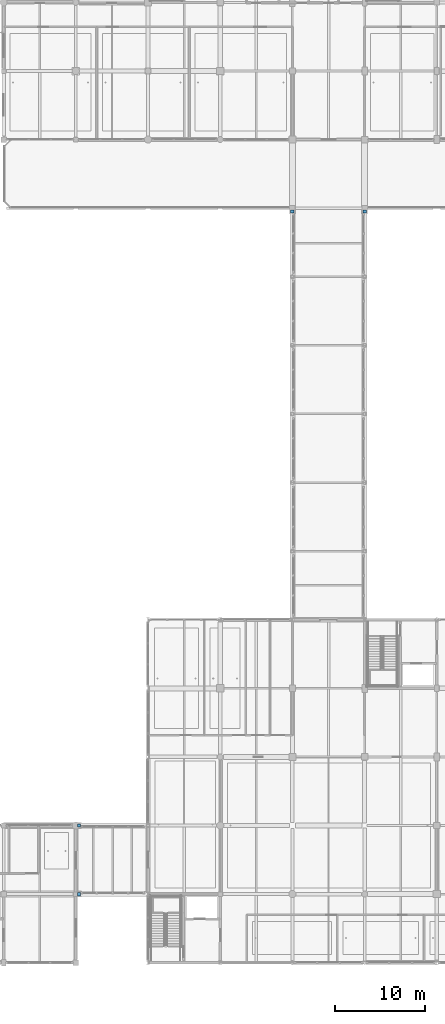
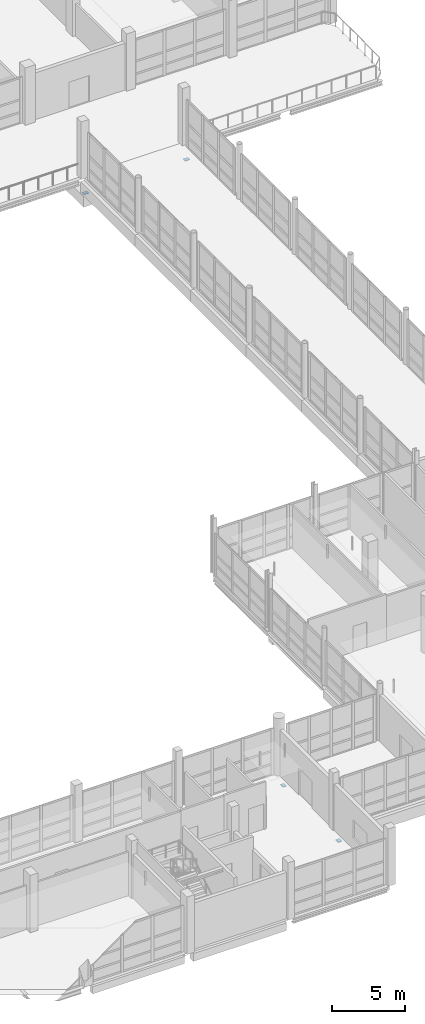
# One storey, part 125 of 141: 4 discrete accessories.
"""IFC4 building model written with IfcOpenShell, lengths in metres."""

from ifc_helpers import new_model, si_unit, direction, frame, origin, origin_2d, place, context, subcontext, project, spatial, rectangle, extrude, material, type_object, element, save


model = new_model("IFC4")

# Units and contexts
model_context = context("Model", 3, precision=1e-05, world=origin(), true_north=direction((0.0, 1.0)))
body_context = subcontext(model_context, "Body", "Model", "MODEL_VIEW")
ifc_project = project(units=[si_unit("LENGTHUNIT", "METRE"), si_unit("AREAUNIT", "SQUARE_METRE"), si_unit("VOLUMEUNIT", "CUBIC_METRE"), si_unit("PLANEANGLEUNIT", "RADIAN"), si_unit("MASSUNIT", "GRAM", prefix="KILO")], contexts=[model_context])

# Site, building, storey
site_placement = place(None, origin())
site = spatial("IfcSite", under=ifc_project, at=site_placement, CompositionType="ELEMENT")
building_placement = place(site_placement, origin())
building = spatial("IfcBuilding", under=site, at=building_placement, Name="Khelvaren Railside Concert Hall", CompositionType="ELEMENT")
storey_placement = place(building_placement, frame((0.0, 0.0, 10.199951171875)))
storey = spatial("IfcBuildingStorey", under=building, at=storey_placement, Name="L02", CompositionType="ELEMENT", Elevation=10.199951171875)

# Discrete accessories
ifc_material = material(Name="Elastomeric PTFE sliding bearing assembly", Category="steel")
discrete_accessory_type = type_object("IfcDiscreteAccessoryType", Name="SB94", PredefinedType="USERDEFINED", material=ifc_material)
for number, where, z_axis, x_axis, name in (
    (1, (136.360107421875, 7.60009765625, -1.2099609375), (0.0, 0.0, 1.0), (1.0, 0.0, 0.0), "East Rehearsal Link Bridge L02 Unguided PTFE Sliding Bearing 1"),
    (2, (136.360107421875, 15.199951171875, -1.2099609375), (0.0, 0.0, 1.0), (1.0, 0.0, 0.0), "East Rehearsal Link Bridge L02 Unguided PTFE Sliding Bearing 2"),
    (3, (160.0, 83.239990234375, -1.2099609375), (0.0, 0.0, 1.0), (0.0, 1.0, 0.0), "East Backstage Artist Link Bridge L02 Unguided PTFE Sliding Bearing 1"),
    (4, (168.0, 83.239990234375, -1.2099609375), (0.0, 0.0, 1.0), (0.0, 1.0, 0.0), "East Backstage Artist Link Bridge L02 Unguided PTFE Sliding Bearing 2"),
):
    element("IfcDiscreteAccessory", number, at=place(storey_placement, frame(where, z_axis=z_axis, x_axis=x_axis)), inside=storey, type_object=discrete_accessory_type, Name=name, ObjectType="SLIDING BEARING", PredefinedType="USERDEFINED", context=body_context, shape_type="SweptSolid", body=[
        extrude(rectangle(XDim=0.300048828125, YDim=0.3798828125, at=origin_2d()), origin(), (0.0, 0.0, 1.0), 0.050048828125),
    ])

save(model, "model.ifc")
